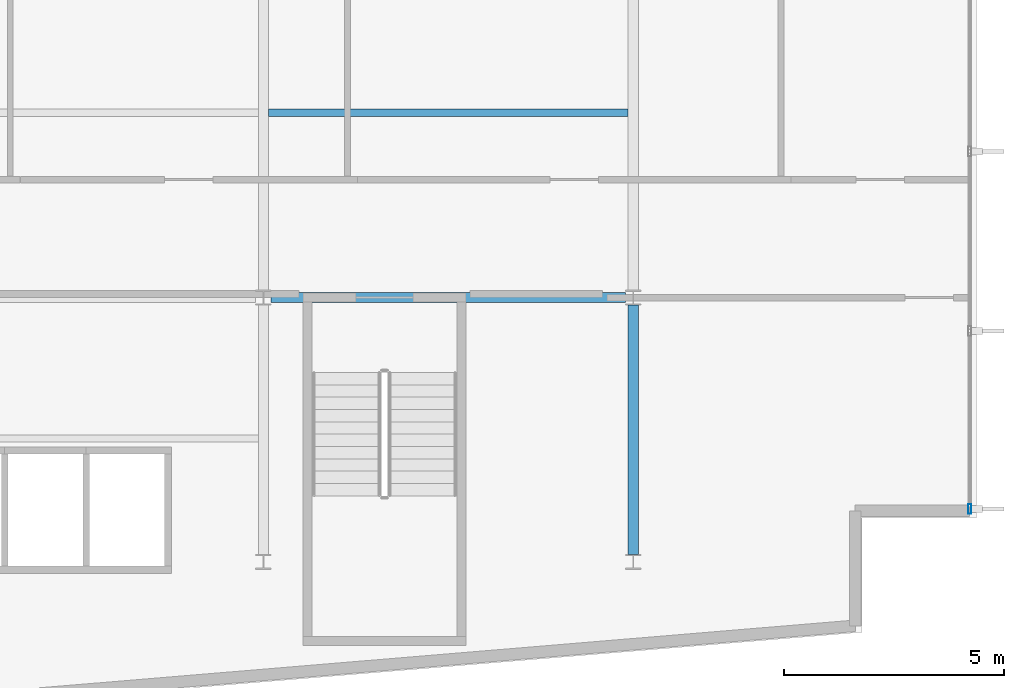
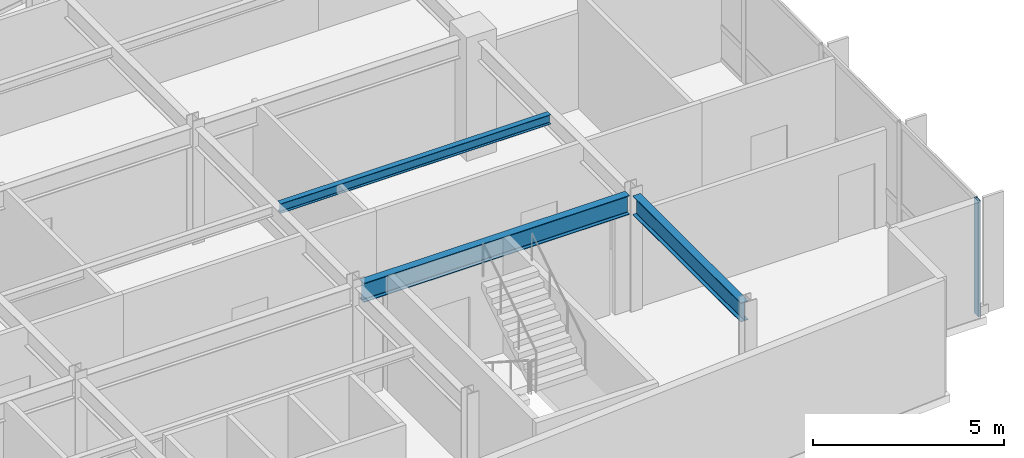
# One storey, part 4 of 20: 3 beams, 1 member, 1 element without a shape of its own.
"""IFC4 building model written with IfcOpenShell, lengths in metres."""

from ifc_helpers import new_model, si_unit, direction, frame, origin, origin_2d, place, context, subcontext, project, spatial, hollow_rectangle, i_section, extrude, material, layer, layer_set, material_profile, profile_set, type_object, element, aggregate, save


model = new_model("IFC4")

# Units and contexts
model_context = context("Model", 3, precision=1e-05, world=origin(), true_north=direction((0.0, 1.0)))
body_context = subcontext(model_context, "Body", "Model", "MODEL_VIEW")
ifc_project = project(units=[si_unit("LENGTHUNIT", "METRE"), si_unit("AREAUNIT", "SQUARE_METRE"), si_unit("VOLUMEUNIT", "CUBIC_METRE"), si_unit("PLANEANGLEUNIT", "RADIAN"), si_unit("MASSUNIT", "GRAM", prefix="KILO")], contexts=[model_context])

# Site, building, storey
site_placement = place(None, origin())
site = spatial("IfcSite", under=ifc_project, at=site_placement, CompositionType="ELEMENT")
building_placement = place(site_placement, origin())
building = spatial("IfcBuilding", under=site, at=building_placement, Name="Varnakote Quay Hospital", CompositionType="ELEMENT")
storey_placement = place(building_placement, frame((0.0, 0.0, 46.199951171875)))
storey = spatial("IfcBuildingStorey", under=building, at=storey_placement, Name="L11", CompositionType="ELEMENT", Elevation=46.199951171875)

# Beams
ifc_material_1 = material(Name="Structural steel AS/NZS 3679.1 Grade 350 L0 (fy 340 MPa)", Category="steel")
ifc_material_profile_1 = material_profile(ifc_material_1, i_section(OverallWidth=0.22900390625, OverallDepth=0.612060546875, WebThickness=0.011962890625, FlangeThickness=0.01953125, FilletRadius=0.013916015625, at=origin_2d()), Name="610UB125")
ifc_profile_set_1 = profile_set([ifc_material_profile_1], Name="Structural steel AS/NZS 3679.1 Grade 350 L0 (fy 340 MPa)")
beam_type_1 = type_object("IfcBeamType", Name="BM-STL-610UB125", PredefinedType="BEAM", material=ifc_profile_set_1)
beam_1_placement = place(storey_placement, frame((42.175048828125, 12.0, 3.404052734375), z_axis=(1.0, 0.0, 0.0), x_axis=(0.0, 1.0, 0.0)))
element("IfcBeam", 1, at=beam_1_placement, inside=storey, type_object=beam_type_1, Name="L11 Primary Floor Beam", PredefinedType="BEAM", context=body_context, shape_type="SweptSolid", body=[
    extrude(i_section(OverallWidth=0.22900390625, OverallDepth=0.612060546875, WebThickness=0.011962890625, FlangeThickness=0.01953125, FilletRadius=0.013916015625, at=origin_2d()), origin(), (0.0, 0.0, 1.0), 8.050048828125),
])
beam_2_placement = place(storey_placement, frame((50.39990234375, 6.169921875, 3.404052734375), z_axis=(0.0, 1.0, 0.0), x_axis=(-1.0, 0.0, 0.0)))
element("IfcBeam", 2, at=beam_2_placement, inside=storey, type_object=beam_type_1, Name="L11 Primary Tie Beam", PredefinedType="BEAM", context=body_context, shape_type="SweptSolid", body=[
    extrude(i_section(OverallWidth=0.22900390625, OverallDepth=0.612060546875, WebThickness=0.011962890625, FlangeThickness=0.01953125, FilletRadius=0.013916015625, at=origin_2d()), origin(), (0.0, 0.0, 1.0), 5.66015625),
])

# Curtain wall, member
ifc_material_2 = material(Name="Anodised aluminium 6063-T6 Bronze", Category="aluminium")
ifc_layer = layer(ifc_material_2, 0.18994140625)
ifc_layer_set = layer_set([ifc_layer], Name="Anodised aluminium 6063-T6 Bronze")
curtain_wall_type = type_object("IfcCurtainWallType", Name="CW-SYS-2", PredefinedType="NOTDEFINED", material=ifc_layer_set)
curtain_wall_placement = place(storey_placement, origin())
curtain_wall = element("IfcCurtainWall", 3, at=curtain_wall_placement, inside=storey, type_object=curtain_wall_type, Name="L11 Unitised Bronze Curtain Wall 1", PredefinedType="NOTDEFINED")
ifc_material_3 = material(Name="Anodised aluminium 6063-T6 Bronze", Category="aluminium")
ifc_material_profile_2 = material_profile(ifc_material_3, hollow_rectangle(XDim=0.074951171875, YDim=0.219970703125, WallThickness=0.00439453125, InnerFilletRadius=0.00439453125, OuterFilletRadius=0.009033203125, at=origin_2d()), Name="CW-MULL-220x75")
ifc_profile_set_2 = profile_set([ifc_material_profile_2], Name="Anodised aluminium 6063-T6 Bronze")
member_type = type_object("IfcMemberType", Name="CW-MULL-220x75", PredefinedType="MULLION", material=ifc_profile_set_2)
member_placement = place(storey_placement, frame((58.0400390625, 7.197509765625, 0.0), z_axis=(0.0, 0.0, 1.0), x_axis=(-1.0, 0.0, 0.0)))
member = element("IfcMember", 4, at=member_placement, type_object=member_type, Name="-2-L11-1 mullion 1", PredefinedType="MULLION", context=body_context, shape_type="SweptSolid", body=[
    extrude(hollow_rectangle(XDim=0.074951171875, YDim=0.219970703125, WallThickness=0.00439453125, InnerFilletRadius=0.00439453125, OuterFilletRadius=0.009033203125, at=origin_2d()), origin(), (0.0, 0.0, 1.0), 3.7099609375),
])
aggregate(curtain_wall, [member])

# Beam
ifc_material_4 = material(Name="Structural steel AS/NZS 3679.1 Grade 350 L0 (fy 340 MPa)", Category="steel")
ifc_material_profile_3 = material_profile(ifc_material_4, i_section(OverallWidth=0.166015625, OverallDepth=0.306884765625, WebThickness=0.006591796875, FlangeThickness=0.01171875, FilletRadius=0.011474609375, at=origin_2d()), Name="310UB46.2")
ifc_profile_set_3 = profile_set([ifc_material_profile_3], Name="Structural steel AS/NZS 3679.1 Grade 350 L0 (fy 340 MPa)")
beam_type_2 = type_object("IfcBeamType", Name="JST-STL-310UB46-2", PredefinedType="JOIST", material=ifc_profile_set_3)
beam_3_placement = place(storey_placement, frame((42.114501953125, 16.199951171875, 3.556640625), z_axis=(1.0, 0.0, 0.0), x_axis=(0.0, 1.0, 0.0)))
element("IfcBeam", 5, at=beam_3_placement, inside=storey, type_object=beam_type_2, Name="L11 Composite Floor Joist", PredefinedType="JOIST", context=body_context, shape_type="SweptSolid", body=[
    extrude(i_section(OverallWidth=0.166015625, OverallDepth=0.306884765625, WebThickness=0.006591796875, FlangeThickness=0.01171875, FilletRadius=0.011474609375, at=origin_2d()), origin(), (0.0, 0.0, 1.0), 8.1708984375),
])

save(model, "model.ifc")
